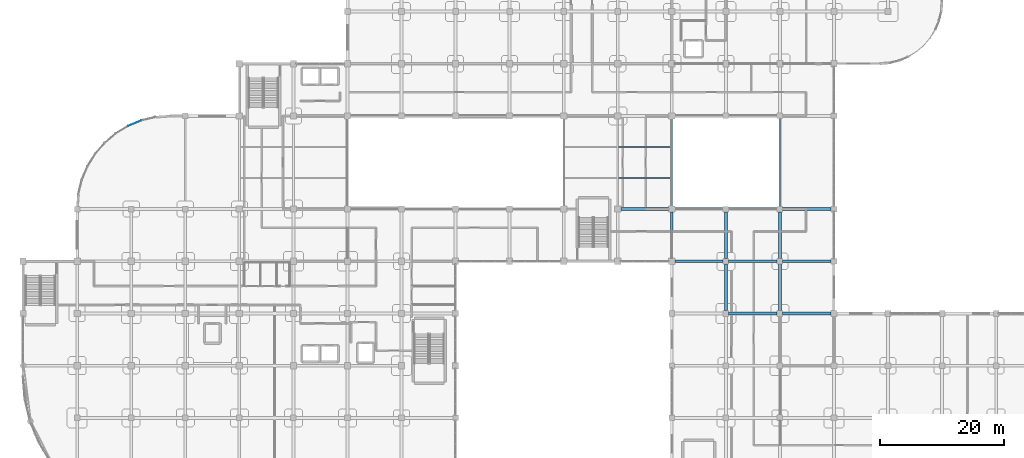
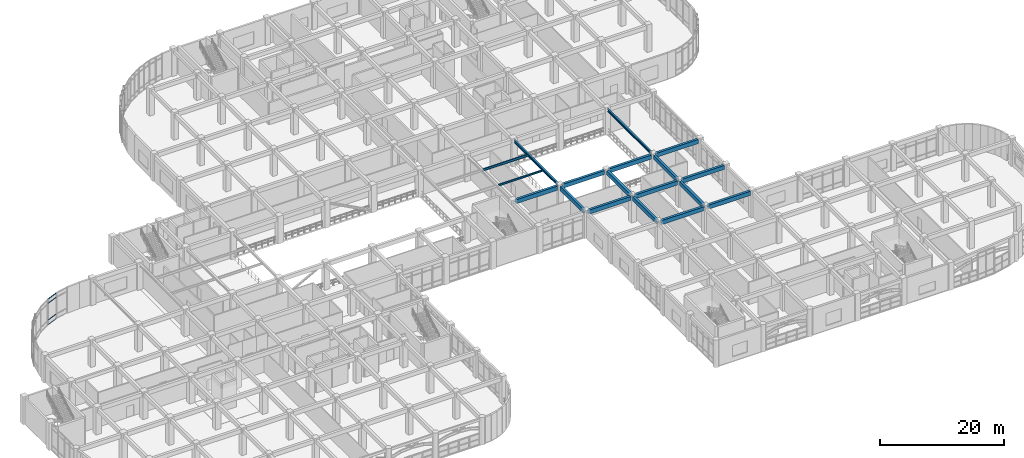
# One storey, part 37 of 114: 18 beams, 4 members, 1 element without a shape of its own.
"""IFC4 building model written with IfcOpenShell, lengths in metres."""

from ifc_helpers import new_model, si_unit, derived_unit, direction, frame, origin, origin_2d, place, context, subcontext, project, spatial, rectangle, hollow_rectangle, i_section, extrude, material, layer, layer_set, material_profile, profile_set, type_object, element, aggregate, save


model = new_model("IFC4")

# Units and contexts
model_context = context("Model", 3, precision=1e-05, world=origin(), true_north=direction((0.0, 1.0)))
body_context = subcontext(model_context, "Body", "Model", "MODEL_VIEW")
ifc_project = project(units=[si_unit("LENGTHUNIT", "METRE"), si_unit("AREAUNIT", "SQUARE_METRE"), si_unit("VOLUMEUNIT", "CUBIC_METRE"), si_unit("PLANEANGLEUNIT", "RADIAN"), si_unit("MASSUNIT", "GRAM", prefix="KILO"), derived_unit("THERMALTRANSMITTANCEUNIT", [(si_unit("MASSUNIT", "GRAM", prefix="KILO"), 1), (si_unit("TIMEUNIT", "SECOND"), -3), (si_unit("THERMODYNAMICTEMPERATUREUNIT", "KELVIN"), -1)])], contexts=[model_context])

# Site, building, storey
site_placement = place(None, origin())
site = spatial("IfcSite", under=ifc_project, at=site_placement, CompositionType="ELEMENT")
building_placement = place(site_placement, origin())
building = spatial("IfcBuilding", under=site, at=building_placement, Name="Qinzheling Arcade Emporium", CompositionType="ELEMENT")
storey_placement = place(building_placement, frame((0.0, 0.0, 6.0)))
storey = spatial("IfcBuildingStorey", under=building, at=storey_placement, Name="L02", CompositionType="ELEMENT", Elevation=6.0)

# Beams
ifc_material_1 = material(Name="Structural steel Q355B", Category="steel")
ifc_material_profile_1 = material_profile(ifc_material_1, i_section(OverallWidth=0.300048828125, OverallDepth=0.488037109375, WebThickness=0.010986328125, FlangeThickness=0.01806640625, FilletRadius=0.02197265625, at=origin_2d()), Name="HM 488x300x11x18", Category="steel")
ifc_profile_set_1 = profile_set([ifc_material_profile_1], Name="Structural steel Q355B")
beam_type_1 = type_object("IfcBeamType", Name="Atrium Bridge Girder HM488 Q355B", PredefinedType="USERDEFINED", material=ifc_profile_set_1)
beam_1_placement = place(storey_placement, frame((104.39990234375, 50.89990234375, 4.8759765625), z_axis=(0.0, 1.0, 0.0), x_axis=(-1.0, 0.0, 0.0)))
element("IfcBeam", 1, at=beam_1_placement, inside=storey, type_object=beam_type_1, Name="Beam BM-L02-Y-13-G", ObjectType="TRANSFER_GIRDER", PredefinedType="USERDEFINED", context=body_context, shape_type="SweptSolid", body=[
    extrude(i_section(OverallWidth=0.300048828125, OverallDepth=0.488037109375, WebThickness=0.010986328125, FlangeThickness=0.01806640625, FilletRadius=0.02197265625, at=origin_2d()), origin(), (0.0, 0.0, 1.0), 14.0),
])
beam_2_placement = place(storey_placement, frame((121.800048828125, 50.85009765625, 4.8759765625), z_axis=(0.0, 1.0, 0.0), x_axis=(-1.0, 0.0, 0.0)))
element("IfcBeam", 2, at=beam_2_placement, inside=storey, type_object=beam_type_1, Name="Beam BM-L02-Y-15-G", ObjectType="TRANSFER_GIRDER", PredefinedType="USERDEFINED", context=body_context, shape_type="SweptSolid", body=[
    extrude(i_section(OverallWidth=0.300048828125, OverallDepth=0.488037109375, WebThickness=0.010986328125, FlangeThickness=0.01806640625, FilletRadius=0.02197265625, at=origin_2d()), origin(), (0.0, 0.0, 1.0), 14.099853515625),
])
ifc_material_profile_2 = material_profile(ifc_material_1, i_section(OverallWidth=0.175048828125, OverallDepth=0.35009765625, WebThickness=0.007080078125, FlangeThickness=0.010986328125, FilletRadius=0.013916015625, at=origin_2d()), Name="HN 350x175x7x11", Category="steel")
ifc_profile_set_2 = profile_set([ifc_material_profile_2], Name="Structural steel Q355B")
beam_type_2 = type_object("IfcBeamType", Name="Canopy Secondary Joist HN350 Q355B", PredefinedType="JOIST", material=ifc_profile_set_2)
beam_3_placement = place(storey_placement, frame((95.85498046875, 55.39990234375, 4.945068359375), z_axis=(1.0, 0.0, 0.0), x_axis=(0.0, 1.0, 0.0)))
element("IfcBeam", 3, at=beam_3_placement, inside=storey, type_object=beam_type_2, Name="Secondary Joist JST-L02-12-1", PredefinedType="JOIST", context=body_context, shape_type="SweptSolid", body=[
    extrude(i_section(OverallWidth=0.175048828125, OverallDepth=0.35009765625, WebThickness=0.007080078125, FlangeThickness=0.010986328125, FilletRadius=0.013916015625, at=origin_2d()), origin(), (0.0, 0.0, 1.0), 8.39013671875),
])

# Curtain wall, members
ifc_material_2 = material(Name="Anodised aluminium and solar-control double glazing", Category="aluminium")
ifc_layer = layer(ifc_material_2, 0.159912109375, Name="Anodised aluminium and solar-control double glazing", Category="aluminium")
ifc_layer_set = layer_set([ifc_layer], Name="Anodised aluminium and solar-control double glazing")
curtain_wall_type = type_object("IfcCurtainWallType", Name="Curved Ribbon Sales Curtain Wall", PredefinedType="NOTDEFINED", material=ifc_layer_set)
curtain_wall_placement = place(storey_placement, origin())
curtain_wall = element("IfcCurtainWall", 4, at=curtain_wall_placement, inside=storey, type_object=curtain_wall_type, Name="Curtain Wall CW-L02-091", PredefinedType="NOTDEFINED")
ifc_material_3 = material(Name="Anodised aluminium 6063-T6", Category="aluminium")
ifc_material_profile_3 = material_profile(ifc_material_3, hollow_rectangle(XDim=0.06005859375, YDim=0.1201171875, WallThickness=0.00390625, InnerFilletRadius=0.00390625, OuterFilletRadius=0.008056640625, at=origin_2d()), Name="RHS 120x60x4", Category="aluminium")
ifc_profile_set_3 = profile_set([ifc_material_profile_3], Name="Anodised aluminium 6063-T6")
member_type = type_object("IfcMemberType", Name="Curtain Wall Transom RHS120x60", PredefinedType="USERDEFINED", material=ifc_profile_set_3)
member_1_placement = place(storey_placement, frame((16.9453125, 63.787841796875, 0.030029296875), z_axis=(0.923847684188, 0.382760311971, 0.0), x_axis=(-0.382760311971, 0.923847684188, 0.0)))
member_1 = element("IfcMember", 5, at=member_1_placement, type_object=member_type, Name="CW02 transom 1.1", ObjectType="TRANSOM", PredefinedType="USERDEFINED", context=body_context, shape_type="SweptSolid", body=[
    extrude(hollow_rectangle(XDim=0.06005859375, YDim=0.1201171875, WallThickness=0.00390625, InnerFilletRadius=0.00390625, OuterFilletRadius=0.008056640625, at=origin_2d()), origin(), (0.0, 0.0, 1.0), 2.234375),
])
member_2_placement = place(storey_placement, frame((16.9453125, 63.787841796875, 0.949951171875), z_axis=(0.923847684188, 0.382760311971, 0.0), x_axis=(-0.382760311971, 0.923847684188, 0.0)))
member_2 = element("IfcMember", 6, at=member_2_placement, type_object=member_type, Name="CW02 transom 1.2", ObjectType="TRANSOM", PredefinedType="USERDEFINED", context=body_context, shape_type="SweptSolid", body=[
    extrude(hollow_rectangle(XDim=0.06005859375, YDim=0.1201171875, WallThickness=0.00390625, InnerFilletRadius=0.00390625, OuterFilletRadius=0.008056640625, at=origin_2d()), origin(), (0.0, 0.0, 1.0), 2.234375),
])
member_3_placement = place(storey_placement, frame((16.9453125, 63.787841796875, 4.239990234375), z_axis=(0.923847684188, 0.382760311971, 0.0), x_axis=(-0.382760311971, 0.923847684188, 0.0)))
member_3 = element("IfcMember", 7, at=member_3_placement, type_object=member_type, Name="CW02 transom 1.3", ObjectType="TRANSOM", PredefinedType="USERDEFINED", context=body_context, shape_type="SweptSolid", body=[
    extrude(hollow_rectangle(XDim=0.06005859375, YDim=0.1201171875, WallThickness=0.00390625, InnerFilletRadius=0.00390625, OuterFilletRadius=0.008056640625, at=origin_2d()), origin(), (0.0, 0.0, 1.0), 2.234375),
])
member_4_placement = place(storey_placement, frame((16.9453125, 63.787841796875, 5.06005859375), z_axis=(0.923847684188, 0.382760311971, 0.0), x_axis=(-0.382760311971, 0.923847684188, 0.0)))
member_4 = element("IfcMember", 8, at=member_4_placement, type_object=member_type, Name="CW02 transom 1.4", ObjectType="TRANSOM", PredefinedType="USERDEFINED", context=body_context, shape_type="SweptSolid", body=[
    extrude(hollow_rectangle(XDim=0.06005859375, YDim=0.1201171875, WallThickness=0.00390625, InnerFilletRadius=0.00390625, OuterFilletRadius=0.008056640625, at=origin_2d()), origin(), (0.0, 0.0, 1.0), 2.234375),
])
aggregate(curtain_wall, [member_1, member_2, member_3, member_4])

# Beams
ifc_material_4 = material(Name="Concrete C40", Category="concrete")
ifc_material_profile_4 = material_profile(ifc_material_4, rectangle(XDim=0.449951171875, YDim=0.800048828125, at=origin_2d()), Name="RC 450x800", Category="concrete")
ifc_profile_set_4 = profile_set([ifc_material_profile_4], Name="Concrete C40")
beam_type_3 = type_object("IfcBeamType", Name="RC Primary Frame Beam 450x800 C40", PredefinedType="BEAM", material=ifc_profile_set_4)
for number, where, z_axis, x_axis, name in (
    (9, (113.550048828125, 33.60009765625, 4.719970703125), (1.0, 0.0, 0.0), (0.0, 1.0, 0.0), "Beam BM-L02-X-E-14"),
    (10, (122.25, 33.60009765625, 4.719970703125), (1.0, 0.0, 0.0), (0.0, 1.0, 0.0), "Beam BM-L02-X-E-15"),
):
    element("IfcBeam", number, at=place(storey_placement, frame(where, z_axis=z_axis, x_axis=x_axis)), inside=storey, type_object=beam_type_3, Name=name, PredefinedType="BEAM", context=body_context, shape_type="SweptSolid", body=[
        extrude(rectangle(XDim=0.449951171875, YDim=0.800048828125, at=origin_2d()), origin(), (0.0, 0.0, 1.0), 7.800048828125),
    ])
beam_4_placement = place(storey_placement, frame((104.89990234375, 42.0, 4.719970703125), z_axis=(1.0, 0.0, 0.0), x_axis=(0.0, 1.0, 0.0)))
element("IfcBeam", 11, at=beam_4_placement, inside=storey, type_object=beam_type_3, Name="Beam BM-L02-X-F-13", PredefinedType="BEAM", context=body_context, shape_type="SweptSolid", body=[
    extrude(rectangle(XDim=0.449951171875, YDim=0.800048828125, at=origin_2d()), origin(), (0.0, 0.0, 1.0), 7.75),
])
for number, where, z_axis, x_axis, name in (
    (12, (113.550048828125, 42.0, 4.719970703125), (1.0, 0.0, 0.0), (0.0, 1.0, 0.0), "Beam BM-L02-X-F-14"),
    (13, (122.25, 42.0, 4.719970703125), (1.0, 0.0, 0.0), (0.0, 1.0, 0.0), "Beam BM-L02-X-F-15"),
):
    element("IfcBeam", number, at=place(storey_placement, frame(where, z_axis=z_axis, x_axis=x_axis)), inside=storey, type_object=beam_type_3, Name=name, PredefinedType="BEAM", context=body_context, shape_type="SweptSolid", body=[
        extrude(rectangle(XDim=0.449951171875, YDim=0.800048828125, at=origin_2d()), origin(), (0.0, 0.0, 1.0), 7.800048828125),
    ])
beam_5_placement = place(storey_placement, frame((96.199951171875, 50.39990234375, 4.719970703125), z_axis=(1.0, 0.0, 0.0), x_axis=(0.0, 1.0, 0.0)))
element("IfcBeam", 14, at=beam_5_placement, inside=storey, type_object=beam_type_3, Name="Beam BM-L02-X-G-12", PredefinedType="BEAM", context=body_context, shape_type="SweptSolid", body=[
    extrude(rectangle(XDim=0.449951171875, YDim=0.800048828125, at=origin_2d()), origin(), (0.0, 0.0, 1.0), 7.699951171875),
])
beam_6_placement = place(storey_placement, frame((104.89990234375, 50.39990234375, 4.719970703125), z_axis=(1.0, 0.0, 0.0), x_axis=(0.0, 1.0, 0.0)))
element("IfcBeam", 15, at=beam_6_placement, inside=storey, type_object=beam_type_3, Name="Beam BM-L02-X-G-13", PredefinedType="BEAM", context=body_context, shape_type="SweptSolid", body=[
    extrude(rectangle(XDim=0.449951171875, YDim=0.800048828125, at=origin_2d()), origin(), (0.0, 0.0, 1.0), 7.75),
])
for number, where, z_axis, x_axis, name in (
    (16, (113.550048828125, 50.39990234375, 4.719970703125), (1.0, 0.0, 0.0), (0.0, 1.0, 0.0), "Beam BM-L02-X-G-14"),
    (17, (122.25, 50.39990234375, 4.719970703125), (1.0, 0.0, 0.0), (0.0, 1.0, 0.0), "Beam BM-L02-X-G-15"),
):
    element("IfcBeam", number, at=place(storey_placement, frame(where, z_axis=z_axis, x_axis=x_axis)), inside=storey, type_object=beam_type_3, Name=name, PredefinedType="BEAM", context=body_context, shape_type="SweptSolid", body=[
        extrude(rectangle(XDim=0.449951171875, YDim=0.800048828125, at=origin_2d()), origin(), (0.0, 0.0, 1.0), 7.800048828125),
    ])
beam_7_placement = place(storey_placement, frame((104.39990234375, 42.5, 4.719970703125), z_axis=(0.0, 1.0, 0.0), x_axis=(-1.0, 0.0, 0.0)))
element("IfcBeam", 18, at=beam_7_placement, inside=storey, type_object=beam_type_3, Name="Beam BM-L02-Y-13-F", PredefinedType="BEAM", context=body_context, shape_type="SweptSolid", body=[
    extrude(rectangle(XDim=0.449951171875, YDim=0.800048828125, at=origin_2d()), origin(), (0.0, 0.0, 1.0), 7.39990234375),
])
for number, where, z_axis, x_axis, name in (
    (19, (113.10009765625, 34.050048828125, 4.719970703125), (0.0, 1.0, 0.0), (-1.0, 0.0, 0.0), "Beam BM-L02-Y-14-E"),
    (20, (113.10009765625, 42.449951171875, 4.719970703125), (0.0, 1.0, 0.0), (-1.0, 0.0, 0.0), "Beam BM-L02-Y-14-F"),
    (21, (121.800048828125, 34.050048828125, 4.719970703125), (0.0, 1.0, 0.0), (-1.0, 0.0, 0.0), "Beam BM-L02-Y-15-E"),
    (22, (121.800048828125, 42.449951171875, 4.719970703125), (0.0, 1.0, 0.0), (-1.0, 0.0, 0.0), "Beam BM-L02-Y-15-F"),
):
    element("IfcBeam", number, at=place(storey_placement, frame(where, z_axis=z_axis, x_axis=x_axis)), inside=storey, type_object=beam_type_3, Name=name, PredefinedType="BEAM", context=body_context, shape_type="SweptSolid", body=[
        extrude(rectangle(XDim=0.449951171875, YDim=0.800048828125, at=origin_2d()), origin(), (0.0, 0.0, 1.0), 7.5),
    ])
ifc_material_profile_5 = material_profile(ifc_material_1, i_section(OverallWidth=0.199951171875, OverallDepth=0.449951171875, WebThickness=0.009033203125, FlangeThickness=0.013916015625, FilletRadius=0.01611328125, at=origin_2d()), Name="HN 450x200x9x14", Category="steel")
ifc_profile_set_5 = profile_set([ifc_material_profile_5], Name="Structural steel Q355B")
beam_type_4 = type_object("IfcBeamType", Name="Secondary Floor Joist HN450 Q355B", PredefinedType="JOIST", material=ifc_profile_set_5)
beam_8_placement = place(storey_placement, frame((95.85498046875, 60.39990234375, 4.89501953125), z_axis=(1.0, 0.0, 0.0), x_axis=(0.0, 1.0, 0.0)))
element("IfcBeam", 23, at=beam_8_placement, inside=storey, type_object=beam_type_4, Name="Secondary Joist JST-L02-12-2", PredefinedType="JOIST", context=body_context, shape_type="SweptSolid", body=[
    extrude(i_section(OverallWidth=0.199951171875, OverallDepth=0.449951171875, WebThickness=0.009033203125, FlangeThickness=0.013916015625, FilletRadius=0.01611328125, at=origin_2d()), origin(), (0.0, 0.0, 1.0), 8.39013671875),
])

save(model, "model.ifc")
